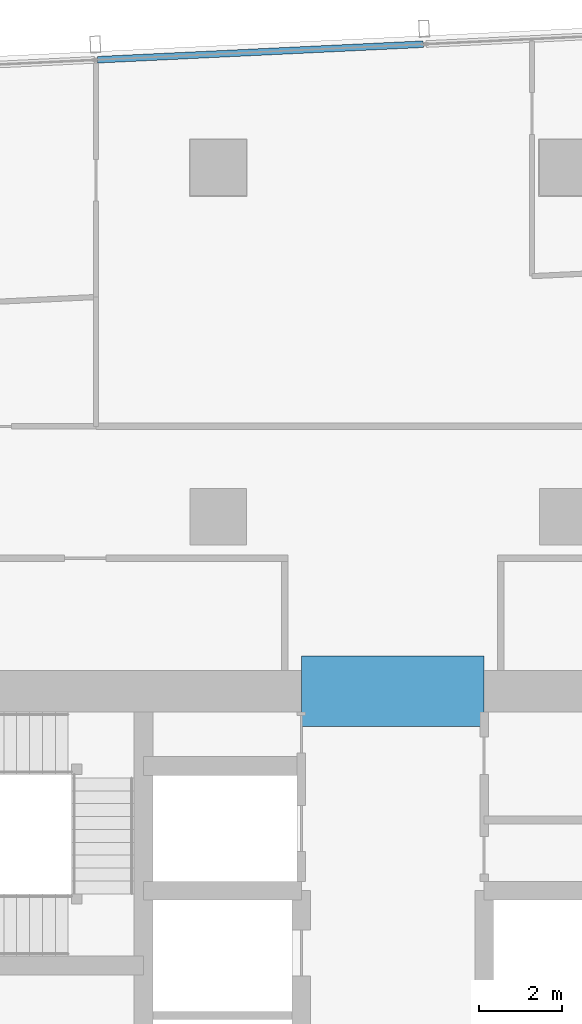
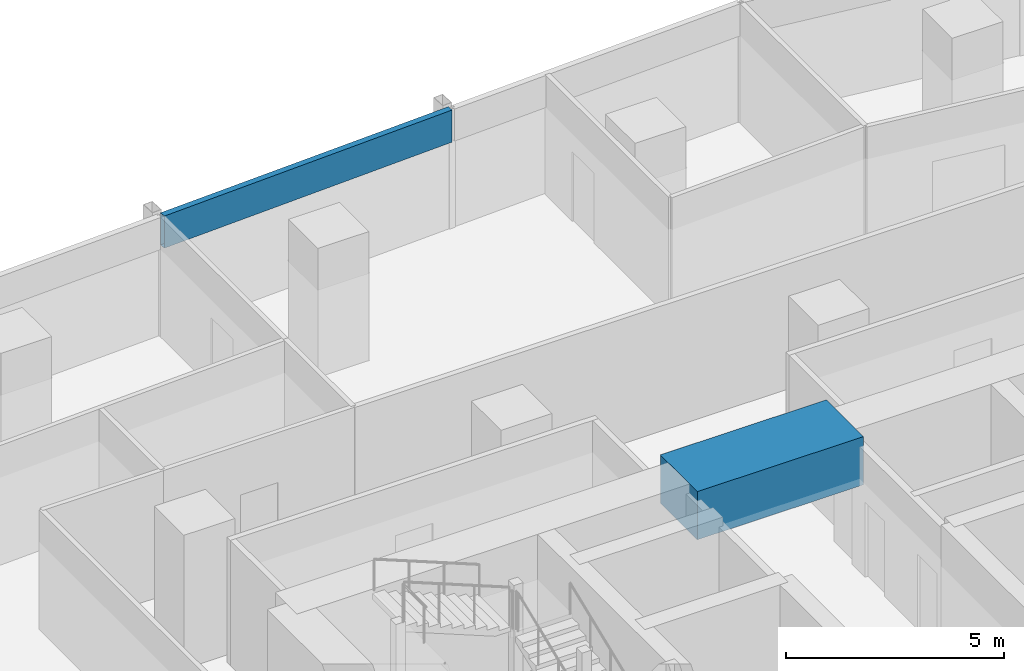
# One storey, part 20 of 40: 1 beam, 1 member, 1 element without a shape of its own.
"""IFC4 building model written with IfcOpenShell, lengths in metres."""

from ifc_helpers import new_model, si_unit, direction, frame, origin, origin_2d, place, context, subcontext, project, spatial, rectangle, hollow_rectangle, extrude, material, material_profile, profile_set, type_object, element, aggregate, save


model = new_model("IFC4")

# Units and contexts
model_context = context("Model", 3, precision=1e-05, world=origin(), true_north=direction((0.0, 1.0)))
body_context = subcontext(model_context, "Body", "Model", "MODEL_VIEW")
ifc_project = project(units=[si_unit("LENGTHUNIT", "METRE"), si_unit("AREAUNIT", "SQUARE_METRE"), si_unit("VOLUMEUNIT", "CUBIC_METRE"), si_unit("PLANEANGLEUNIT", "RADIAN"), si_unit("MASSUNIT", "GRAM", prefix="KILO")], contexts=[model_context])

# Site, building, storey
site_placement = place(None, origin())
site = spatial("IfcSite", under=ifc_project, at=site_placement, CompositionType="ELEMENT")
building_placement = place(site_placement, origin())
building = spatial("IfcBuilding", under=site, at=building_placement, Name="Rekha Terrace Tower", CompositionType="ELEMENT")
storey_placement = place(building_placement, frame((0.0, 0.0, 210.199951171875)))
storey = spatial("IfcBuildingStorey", under=building, at=storey_placement, Name="L53", CompositionType="ELEMENT", Elevation=210.199951171875)

# Curtain wall, member
ifc_material_1 = material(Name="Aluminium framing", Category="aluminium")
curtain_wall_type = type_object("IfcCurtainWallType", Name="CW3 north unitised glazing", PredefinedType="USERDEFINED", material=ifc_material_1)
curtain_wall_placement = place(storey_placement, origin())
curtain_wall = element("IfcCurtainWall", 1, at=curtain_wall_placement, inside=storey, type_object=curtain_wall_type, Name="CW3 unitised curtain wall", ObjectType="UNITISED CURTAIN WALL", PredefinedType="USERDEFINED")
ifc_material_2 = material(Name="Insulated aluminium spandrel box", Category="aluminium")
ifc_material_profile_1 = material_profile(ifc_material_2, hollow_rectangle(XDim=0.159912109375, YDim=0.89990234375, WallThickness=0.0029296875, at=origin_2d()), Name="AL SPANDREL BOX 160x900")
ifc_profile_set_1 = profile_set([ifc_material_profile_1], Name="Insulated aluminium spandrel box")
member_type = type_object("IfcMemberType", Name="CW3 spandrel transom 160 x 900", PredefinedType="USERDEFINED", material=ifc_profile_set_1)
member_placement = place(storey_placement, frame((38.53515625, 61.76953125, 3.050048828125), z_axis=(-0.998859252362, -0.047751376635, 0.0), x_axis=(0.047751376635, -0.998859252362, 0.0)))
member = element("IfcMember", 2, at=member_placement, type_object=member_type, Name="CW3 spandrel transom 2", ObjectType="TRANSOM", PredefinedType="USERDEFINED", context=body_context, shape_type="SweptSolid", body=[
    extrude(hollow_rectangle(XDim=0.159912109375, YDim=0.89990234375, WallThickness=0.0029296875, at=origin_2d()), origin(), (0.0, 0.0, 1.0), 7.84814453125),
])
aggregate(curtain_wall, [member])

# Beam
ifc_material_3 = material(Name="Concrete M60", Category="concrete")
ifc_material_profile_2 = material_profile(ifc_material_3, rectangle(XDim=1.699951171875, YDim=1.35009765625, at=origin_2d()), Name="RC 1700x1350")
ifc_profile_set_2 = profile_set([ifc_material_profile_2], Name="Concrete M60")
beam_type = type_object("IfcBeamType", Name="LB3A 1700x1350 diagonally reinforced coupling beam", PredefinedType="LINTEL", material=ifc_profile_set_2)
beam_placement = place(storey_placement, frame((35.60009765625, 46.199951171875, 3.074951171875), z_axis=(1.0, 0.0, 0.0), x_axis=(0.0, 1.0, 0.0)))
element("IfcBeam", 3, at=beam_placement, inside=storey, type_object=beam_type, Name="Coupling beam LB3A N L53", PredefinedType="LINTEL", context=body_context, shape_type="SweptSolid", body=[
    extrude(rectangle(XDim=1.699951171875, YDim=1.35009765625, at=origin_2d()), origin(), (0.0, 0.0, 1.0), 4.39990234375),
])

save(model, "model.ifc")
